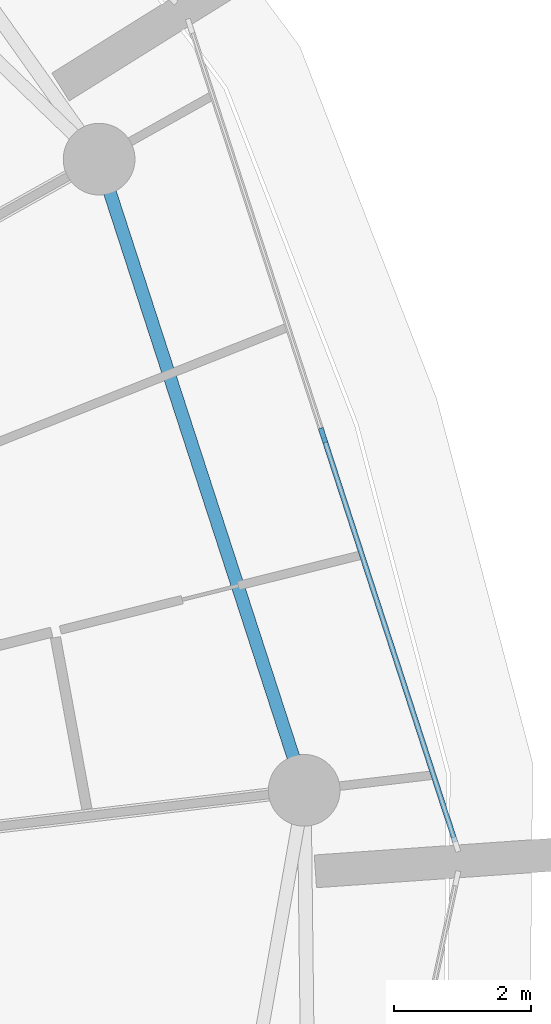
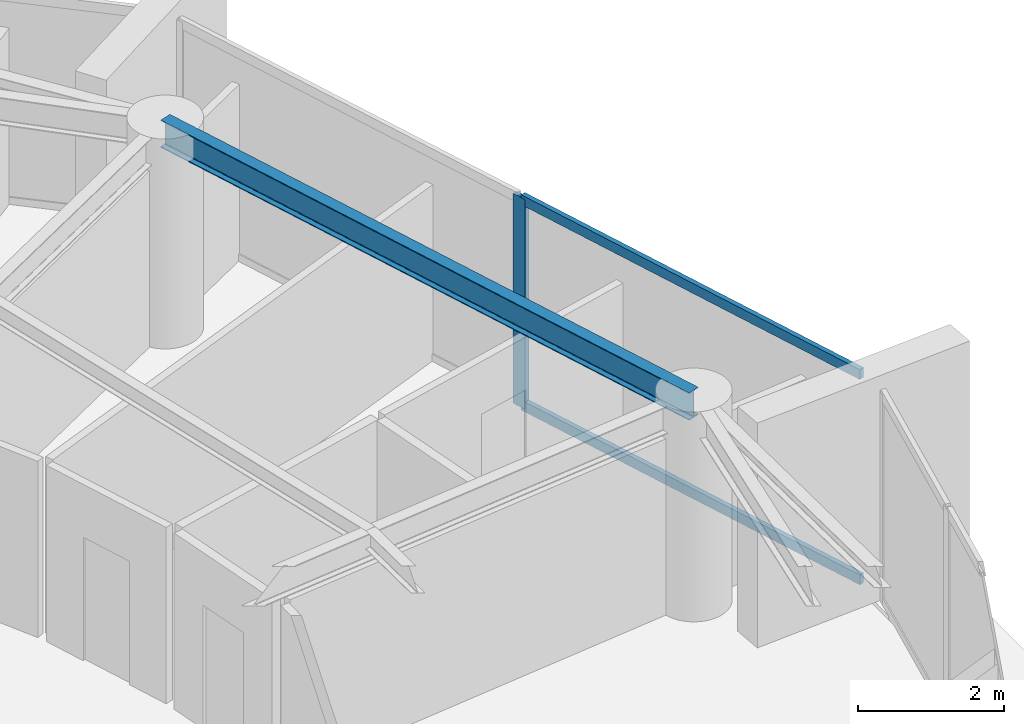
# One storey, part 8 of 17: 3 members, 1 beam, 1 element without a shape of its own.
"""IFC4 building model written with IfcOpenShell, lengths in metres."""

import ifcopenshell
import ifcopenshell.guid

model = None  # the IFC model being written
_history = None  # IfcOwnerHistory: only IFC2X3 demands one
_inside = {}  # id of a spatial element -> (the spatial element, [elements in it])
_under = {}  # id of a project, library or spatial element -> (it, [spatial elements below it])
_declared = {}  # id of a project -> (the project, [libraries it declares])
_typed = {}  # id of a type object -> (the type object, [elements of that type])
_made_of = {}  # id of a material, layer set ... -> (it, [elements and type objects made of it])


def new_model(schema):
    """Start an empty IFC model of exactly this schema.

    Asked for "IFC4X3", IfcOpenShell would pick the latest addendum, in which some entities
    have other attributes; the version numbers below select the first issue.
    IFC2X3 requires an IfcOwnerHistory on every rooted entity: one is made here for all.
    """
    global model, _history
    if schema == "IFC4X3":
        model = ifcopenshell.file(schema_version=(4, 3, 0, 0))
    else:
        model = ifcopenshell.file(schema=schema)
    _inside.clear()
    _under.clear()
    _declared.clear()
    _typed.clear()
    _made_of.clear()
    _history = None
    if model.schema == "IFC2X3":
        org = make("IfcOrganization", Name="unknown")
        user = make(
            "IfcPersonAndOrganization",
            ThePerson=make("IfcPerson", FamilyName="unknown"),
            TheOrganization=org,
        )
        app = make(
            "IfcApplication",
            ApplicationDeveloper=org,
            Version="unknown",
            ApplicationFullName="unknown",
            ApplicationIdentifier="unknown",
        )
        _history = make(
            "IfcOwnerHistory",
            OwningUser=user,
            OwningApplication=app,
            ChangeAction="ADDED",
            CreationDate=0,
        )
    return model


def make(cls, **values):
    """One entity of the class cls with the attributes given. An attribute that is None is left unset."""
    return model.create_entity(
        cls, **{name: value for name, value in values.items() if value is not None}
    )


def rooted(cls, **values):
    """An entity with a GlobalId (a new one), such as an element, a storey or a relation."""
    return make(cls, GlobalId=ifcopenshell.guid.new(), OwnerHistory=_history, **values)


def si_unit(unit_type, name, prefix=None):
    """IfcSIUnit, for example si_unit("LENGTHUNIT", "METRE", prefix="MILLI")."""
    return make("IfcSIUnit", UnitType=unit_type, Prefix=prefix, Name=name)


def assignment(units):
    """IfcUnitAssignment: the units of a project."""
    return None if units is None else make("IfcUnitAssignment", Units=units)


def point(xyz):
    """IfcCartesianPoint."""
    return None if xyz is None else make("IfcCartesianPoint", Coordinates=xyz)


def direction(xyz):
    """IfcDirection."""
    return None if xyz is None else make("IfcDirection", DirectionRatios=xyz)


def frame(location, z_axis=None, x_axis=None):
    """IfcAxis2Placement3D, a coordinate frame: its origin and axes. An axis left out is left unset."""
    return make(
        "IfcAxis2Placement3D",
        Location=point(location),
        Axis=direction(z_axis),
        RefDirection=direction(x_axis),
    )


def frame_2d(location, x_axis=None):
    """IfcAxis2Placement2D, a coordinate frame in the plane: its origin and x axis."""
    return make(
        "IfcAxis2Placement2D", Location=point(location), RefDirection=direction(x_axis)
    )


def origin():
    """The frame at (0, 0, 0) with its axes left unset."""
    return frame((0.0, 0.0, 0.0))


def origin_2d():
    """The frame at (0, 0) in the plane with its x axis left unset."""
    return frame_2d((0.0, 0.0))


def place(relative_to, where):
    """IfcLocalPlacement: puts the frame where relative to a parent placement (None: the world)."""
    return make(
        "IfcLocalPlacement", PlacementRelTo=relative_to, RelativePlacement=where
    )


def context(
    kind, dimensions, precision=None, world=None, true_north=None, identifier=None
):
    """IfcGeometricRepresentationContext, for example the 3D "Model" context."""
    return make(
        "IfcGeometricRepresentationContext",
        ContextIdentifier=identifier,
        ContextType=kind,
        CoordinateSpaceDimension=dimensions,
        Precision=precision,
        WorldCoordinateSystem=world,
        TrueNorth=true_north,
    )


def subcontext(parent, identifier, kind, view, scale=None):
    """IfcGeometricRepresentationSubContext, for example "Body" below "Model"."""
    return make(
        "IfcGeometricRepresentationSubContext",
        ContextIdentifier=identifier,
        ContextType=kind,
        ParentContext=parent,
        TargetScale=scale,
        TargetView=view,
    )


def project(units=None, contexts=None):
    """IfcProject with its units and contexts."""
    return rooted(
        "IfcProject",
        Name="project",
        RepresentationContexts=contexts,
        UnitsInContext=assignment(units),
    )


def spatial(cls, under=None, at=None, **own):
    """A site, building, storey or space (cls), placed at a placement, below another one or the project."""
    s = rooted(cls, ObjectPlacement=at, **own)
    if under is not None:
        _under.setdefault(under.id(), (under, []))[1].append(s)
    return s


def profile(cls, at=None, kind="AREA", **sizes):
    """A parametric profile (cls). Its sizes go by their IFC names, for example OverallWidth=200.0."""
    return make(cls, ProfileType=kind, Position=at, **sizes)


def rectangle(**sizes):
    """IfcRectangleProfileDef."""
    return profile("IfcRectangleProfileDef", **sizes)


def i_section(**sizes):
    """IfcIShapeProfileDef."""
    return profile("IfcIShapeProfileDef", **sizes)


def extrude(swept, where, along, depth):
    """IfcExtrudedAreaSolid: the profile swept, set in the frame where, extruded along a direction by depth."""
    return make(
        "IfcExtrudedAreaSolid",
        SweptArea=swept,
        Position=where,
        ExtrudedDirection=direction(along),
        Depth=depth,
    )


def shape(context_of_items, identifier, shape_type, items):
    """IfcShapeRepresentation: the items that make up one representation, for example the "Body"."""
    return make(
        "IfcShapeRepresentation",
        ContextOfItems=context_of_items,
        RepresentationIdentifier=identifier,
        RepresentationType=shape_type,
        Items=items,
    )


def material(Name=None, Category=None):
    """IfcMaterial."""
    return make("IfcMaterial", Name=Name, Category=Category)


def layer(
    of_material, thickness, ventilated=None, Name=None, Category=None, Priority=None
):
    """IfcMaterialLayer: one layer of a wall or slab, of a material (None: an air gap)."""
    return make(
        "IfcMaterialLayer",
        Material=of_material,
        LayerThickness=thickness,
        IsVentilated=ventilated,
        Name=Name,
        Category=Category,
        Priority=Priority,
    )


def layer_set(layers, Name=None):
    """IfcMaterialLayerSet."""
    return make("IfcMaterialLayerSet", MaterialLayers=layers, LayerSetName=Name)


def material_profile(
    of_material, cross_section, Name=None, Category=None, Priority=None
):
    """IfcMaterialProfile: a cross section and its material."""
    return make(
        "IfcMaterialProfile",
        Name=Name,
        Material=of_material,
        Profile=cross_section,
        Priority=Priority,
        Category=Category,
    )


def profile_set(profiles, Name=None, composite=None):
    """IfcMaterialProfileSet."""
    return make(
        "IfcMaterialProfileSet",
        Name=Name,
        MaterialProfiles=profiles,
        CompositeProfile=composite,
    )


def made_of(thing, what):
    """Note that an element or type object is made of a material, layer set ...; save() writes the relation."""
    if what is not None:
        _made_of.setdefault(what.id(), (what, []))[1].append(thing)
    return thing


def type_object(cls, material=None, **own):
    """A type object (cls), such as IfcWallType, which elements share."""
    return made_of(rooted(cls, **own), material)


def element(
    cls,
    number,
    at=None,
    inside=None,
    cuts=None,
    type_object=None,
    material=None,
    context=None,
    identifier="Body",
    shape_type=None,
    held_by="IfcProductDefinitionShape",
    body=None,
    shapes=None,
    **own,
):
    """One element of the class cls, such as IfcWall. Its Tag is "e" and its number.

    at: its placement. inside: the storey or other place that contains it. cuts: it is an
    opening in that element (IfcRelVoidsElement). A single representation is given by context,
    identifier, shape_type and body (its items); several are given by shapes. held_by: the class
    of the entity that holds the representations. save() writes the other relations.
    """
    e = rooted(cls, Tag="e%d" % number, ObjectPlacement=at, **own)
    if body is not None:
        shapes = [shape(context, identifier, shape_type, body)]
    if shapes is not None:
        e.Representation = make(held_by, Representations=shapes)
    if inside is not None:
        _inside.setdefault(inside.id(), (inside, []))[1].append(e)
    if cuts is not None:
        rooted(
            "IfcRelVoidsElement", RelatingBuildingElement=cuts, RelatedOpeningElement=e
        )
    if type_object is not None:
        _typed.setdefault(type_object.id(), (type_object, []))[1].append(e)
    return made_of(e, material)


def aggregate(whole, parts):
    """IfcRelAggregates: a whole, such as a stair, and the parts it consists of."""
    return rooted("IfcRelAggregates", RelatingObject=whole, RelatedObjects=parts)


def save(model, path):
    """Write the relations noted so far, then the file.

    IfcRelAggregates (storeys below a building ...), IfcRelContainedInSpatialStructure (elements
    in a storey), IfcRelDefinesByType, IfcRelAssociatesMaterial and IfcRelDeclares: one each for
    every whole, place, type object, material and project.
    """
    for whole, parts in _under.values():
        aggregate(whole, parts)
    for where, things in _inside.values():
        rooted(
            "IfcRelContainedInSpatialStructure",
            RelatedElements=things,
            RelatingStructure=where,
        )
    for kind, things in _typed.values():
        rooted("IfcRelDefinesByType", RelatedObjects=things, RelatingType=kind)
    for what, things in _made_of.values():
        rooted("IfcRelAssociatesMaterial", RelatedObjects=things, RelatingMaterial=what)
    for by, libraries in _declared.values():
        rooted("IfcRelDeclares", RelatingContext=by, RelatedDefinitions=libraries)
    model.write(path)


model = new_model("IFC4")

# Units and contexts
model_context = context("Model", 3, precision=1e-05, world=origin(), true_north=direction((0.0, 1.0)))
body_context = subcontext(model_context, "Body", "Model", "MODEL_VIEW")
ifc_project = project(units=[si_unit("LENGTHUNIT", "METRE"), si_unit("AREAUNIT", "SQUARE_METRE"), si_unit("VOLUMEUNIT", "CUBIC_METRE"), si_unit("PLANEANGLEUNIT", "RADIAN"), si_unit("MASSUNIT", "GRAM", prefix="KILO")], contexts=[model_context])

# Site, building, storey
site_placement = place(None, origin())
site = spatial("IfcSite", under=ifc_project, at=site_placement, CompositionType="ELEMENT")
building_placement = place(site_placement, origin())
building = spatial("IfcBuilding", under=site, at=building_placement, Name="Kazma Halo Residences", CompositionType="ELEMENT")
storey_placement = place(building_placement, frame((0.0, 0.0, 127.800048828125)))
storey = spatial("IfcBuildingStorey", under=building, at=storey_placement, Name="L31", CompositionType="ELEMENT", Elevation=127.800048828125)

# Beam
ifc_material_1 = material(Name="Steel S355", Category="steel")
ifc_material_profile_1 = material_profile(ifc_material_1, i_section(OverallWidth=0.18994140625, OverallDepth=0.45703125, WebThickness=0.009033203125, FlangeThickness=0.014404296875, FilletRadius=0.01611328125, at=origin_2d()), Name="W460x74")
ifc_profile_set_1 = profile_set([ifc_material_profile_1], Name="Steel S355")
beam_type = type_object("IfcBeamType", Name="BM-SPN-W460", PredefinedType="BEAM", material=ifc_profile_set_1)
beam_placement = place(storey_placement, frame((72.733154296875, 44.927490234375, 3.271484375), z_axis=(-0.309020741629, 0.95105529873, 0.0), x_axis=(-0.95105529873, -0.309020741629, 0.0)))
element("IfcBeam", 1, at=beam_placement, inside=storey, type_object=beam_type, Name="L31 perimeter ring beam 16", PredefinedType="BEAM", context=body_context, shape_type="SweptSolid", body=[
    extrude(i_section(OverallWidth=0.18994140625, OverallDepth=0.45703125, WebThickness=0.009033203125, FlangeThickness=0.014404296875, FilletRadius=0.01611328125, at=origin_2d()), origin(), (0.0, 0.0, 1.0), 9.717529296875),
])

# Curtain wall, members
ifc_material_2 = material(Name="Aluminium AW-6063 T6 and Triple-Silver Low-E Glass", Category="aluminium")
ifc_layer = layer(ifc_material_2, 0.219970703125)
ifc_layer_set = layer_set([ifc_layer], Name="Aluminium AW-6063 T6 and Triple-Silver Low-E Glass")
curtain_wall_type = type_object("IfcCurtainWallType", Name="CW-SYS-4", PredefinedType="NOTDEFINED", material=ifc_layer_set)
curtain_wall_placement = place(storey_placement, origin())
curtain_wall = element("IfcCurtainWall", 2, at=curtain_wall_placement, inside=storey, type_object=curtain_wall_type, Name="L31 unitised curtain wall B16", PredefinedType="NOTDEFINED")
ifc_material_3 = material(Name="Aluminium AW-6063 T6", Category="aluminium")
ifc_material_profile_2 = material_profile(ifc_material_3, rectangle(XDim=0.074951171875, YDim=0.219970703125, at=origin_2d()), Name="CWM-75x220")
ifc_profile_set_2 = profile_set([ifc_material_profile_2], Name="Aluminium AW-6063 T6")
member_type_1 = type_object("IfcMemberType", Name="CW-SYS-4-MUL", PredefinedType="MULLION", material=ifc_profile_set_2)
member_1_placement = place(storey_placement, frame((73.009033203125, 50.1259765625, 0.0), z_axis=(0.0, 0.0, 1.0), x_axis=(-0.951057547609, -0.3090138203, 0.0)))
member_1 = element("IfcMember", 3, at=member_1_placement, type_object=member_type_1, Name="CWS-4 mullion 2", PredefinedType="MULLION", context=body_context, shape_type="SweptSolid", body=[
    extrude(rectangle(XDim=0.074951171875, YDim=0.219970703125, at=origin_2d()), origin(), (0.0, 0.0, 1.0), 3.5),
])
ifc_material_profile_3 = material_profile(ifc_material_3, rectangle(XDim=0.074951171875, YDim=0.1650390625, at=origin_2d()), Name="CWT-75x165")
ifc_profile_set_3 = profile_set([ifc_material_profile_3], Name="Aluminium AW-6063 T6")
member_type_2 = type_object("IfcMemberType", Name="CW-SYS-4-TRN", PredefinedType="USERDEFINED", material=ifc_profile_set_3)
member_2_placement = place(storey_placement, frame((74.9443359375, 44.169921875, 0.037353515625), z_axis=(-0.309006258762, 0.95106000444, 0.0), x_axis=(-0.95106000444, -0.309006258762, 0.0)))
member_2 = element("IfcMember", 4, at=member_2_placement, type_object=member_type_2, Name="CWS-4 transom 1.1", ObjectType="TRANSOM", PredefinedType="USERDEFINED", context=body_context, shape_type="SweptSolid", body=[
    extrude(rectangle(XDim=0.074951171875, YDim=0.1650390625, at=origin_2d()), origin(), (0.0, 0.0, 1.0), 6.22509765625),
])
member_3_placement = place(storey_placement, frame((74.9443359375, 44.169921875, 3.46240234375), z_axis=(-0.309006258762, 0.95106000444, 0.0), x_axis=(-0.95106000444, -0.309006258762, 0.0)))
member_3 = element("IfcMember", 5, at=member_3_placement, type_object=member_type_2, Name="CWS-4 transom 1.2", ObjectType="TRANSOM", PredefinedType="USERDEFINED", context=body_context, shape_type="SweptSolid", body=[
    extrude(rectangle(XDim=0.074951171875, YDim=0.1650390625, at=origin_2d()), origin(), (0.0, 0.0, 1.0), 6.22509765625),
])
aggregate(curtain_wall, [member_1, member_2, member_3])

save(model, "model.ifc")
